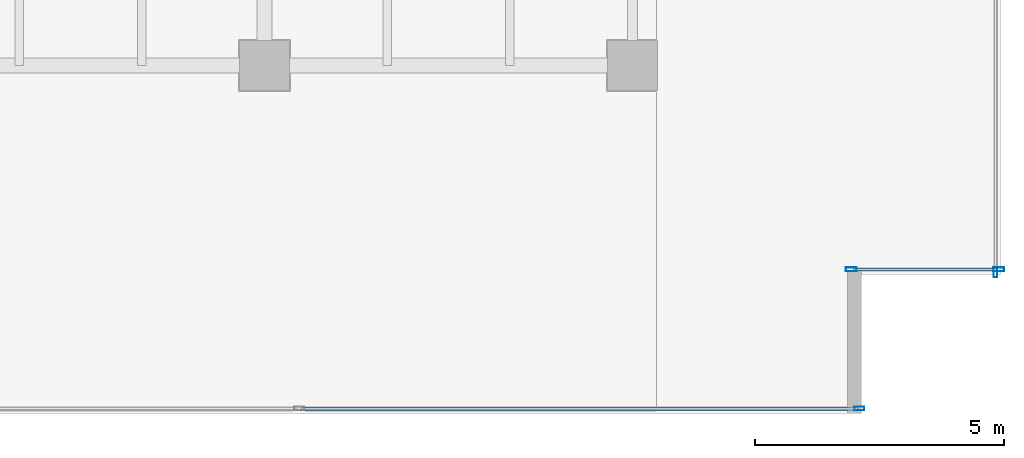
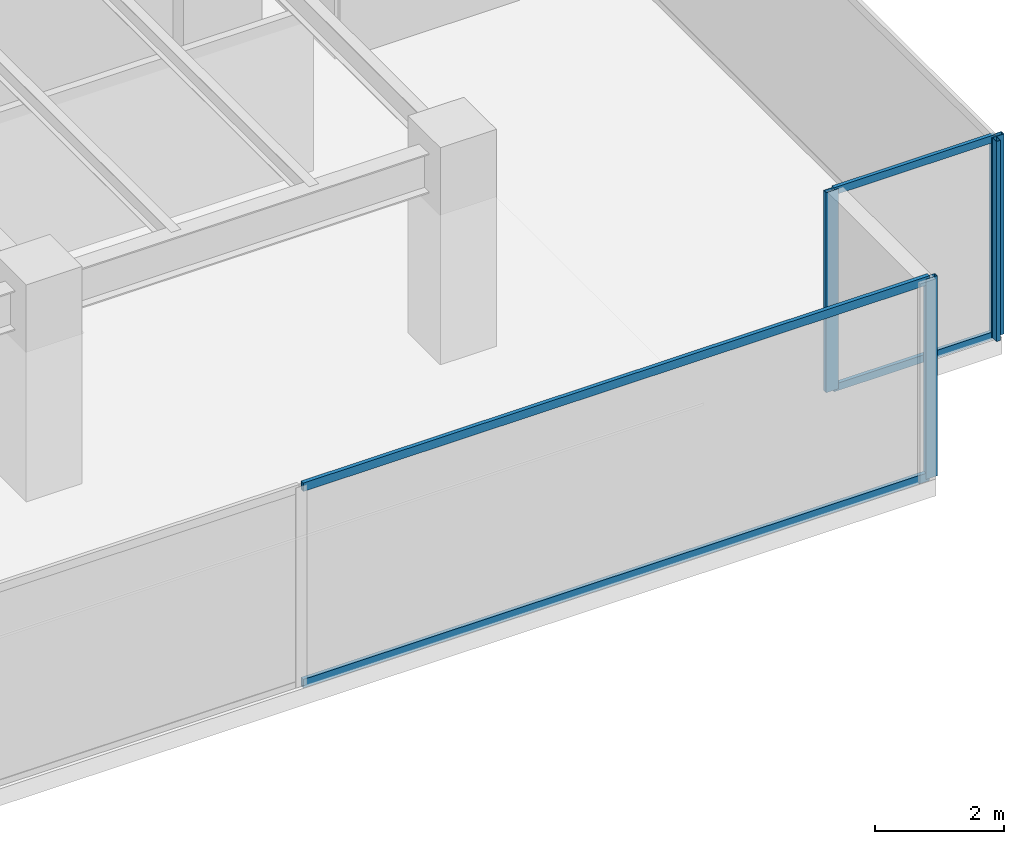
# One storey, part 23 of 36: 8 members, 3 elements without a shape of their own.
"""IFC4 building model written with IfcOpenShell, lengths in metres."""

from ifc_helpers import new_model, si_unit, direction, frame, origin, origin_2d, place, context, subcontext, project, spatial, hollow_rectangle, extrude, source, transform, mapped, material, layer, layer_set, material_profile, profile_set, type_object, type_shapes, element, aggregate, save


model = new_model("IFC4")

# Units and contexts
model_context = context("Model", 3, precision=1e-05, world=origin(), true_north=direction((0.0, 1.0)))
body_context = subcontext(model_context, "Body", "Model", "MODEL_VIEW")
ifc_project = project(units=[si_unit("LENGTHUNIT", "METRE"), si_unit("AREAUNIT", "SQUARE_METRE"), si_unit("VOLUMEUNIT", "CUBIC_METRE"), si_unit("PLANEANGLEUNIT", "RADIAN"), si_unit("MASSUNIT", "GRAM", prefix="KILO")], contexts=[model_context])

# Site, building, storey
site_placement = place(None, origin())
site = spatial("IfcSite", under=ifc_project, at=site_placement, CompositionType="ELEMENT")
building_placement = place(site_placement, origin())
building = spatial("IfcBuilding", under=site, at=building_placement, Name="Haelvirn Gate Laboratories", CompositionType="ELEMENT")
storey_placement = place(building_placement, frame((0.0, 0.0, 53.89990234375)))
storey = spatial("IfcBuildingStorey", under=building, at=storey_placement, Name="L13", CompositionType="ELEMENT", Elevation=53.89990234375)

# Curtain wall, member
ifc_material_1 = material(Name="Anodised bronze unitised aluminium & triple low-E glass", Category="aluminium")
ifc_layer_1 = layer(ifc_material_1, 0.18408203125, Name="CW-SYS-2")
ifc_layer_set_1 = layer_set([ifc_layer_1], Name="Anodised bronze unitised aluminium & triple low-E glass")
curtain_wall_type_1 = type_object("IfcCurtainWallType", Name="CW-SYS-2", PredefinedType="NOTDEFINED", material=ifc_layer_set_1)
curtain_wall_1_placement = place(storey_placement, origin())
curtain_wall_1 = element("IfcCurtainWall", 1, at=curtain_wall_1_placement, inside=storey, type_object=curtain_wall_type_1, Name="L13 Unitised Curtain Wall CW-L13-P0-E04-1", PredefinedType="NOTDEFINED")
ifc_material_2 = material(Name="Extruded aluminium 6063-T6 (anodised bronze)", Category="aluminium")
ifc_material_profile_1 = material_profile(ifc_material_2, hollow_rectangle(XDim=0.074951171875, YDim=0.199951171875, WallThickness=0.0048828125, at=origin_2d()), Name="CWM-200x75x5")
ifc_profile_set_1 = profile_set([ifc_material_profile_1], Name="Extruded aluminium 6063-T6 (anodised bronze)")
member_type_1 = type_object("IfcMemberType", Name="CWM-T200", PredefinedType="MULLION", material=ifc_profile_set_1)
shared_shape_1 = source(origin(), body_context, "Body", "SweptSolid", [
    extrude(hollow_rectangle(XDim=0.074951171875, YDim=0.199951171875, WallThickness=0.0048828125, at=origin_2d()), origin(), (0.0, 0.0, 1.0), 3.780029296875),
])
type_shapes(member_type_1, [shared_shape_1])
member_1_placement = place(storey_placement, frame((71.96240234375, 0.10009765625, 0.0), z_axis=(0.0, 0.0, 1.0), x_axis=(0.0, 1.0, 0.0)))
member_1 = element("IfcMember", 2, at=member_1_placement, type_object=member_type_1, Name="CW2 mullion 3", PredefinedType="MULLION", context=body_context, shape_type="MappedRepresentation", body=[
    mapped(shared_shape_1, transform((0.0, 0.0, 0.0), scale=1.0)),
])

curtain_wall_2_placement = place(storey_placement, origin())
curtain_wall_2 = element("IfcCurtainWall", 3, at=curtain_wall_2_placement, inside=storey, type_object=curtain_wall_type_1, Name="L13 Unitised Curtain Wall CW-L13-P0-E07", PredefinedType="NOTDEFINED")
member_2_placement = place(storey_placement, frame((74.699951171875, 2.83740234375, 0.0), z_axis=(0.0, 0.0, 1.0), x_axis=(-1.0, 0.0, 0.0)))
member_2 = element("IfcMember", 4, at=member_2_placement, type_object=member_type_1, Name="CW2 mullion 1", PredefinedType="MULLION", context=body_context, shape_type="MappedRepresentation", body=[
    mapped(shared_shape_1, transform((0.0, 0.0, 0.0), scale=1.0)),
])
aggregate(curtain_wall_2, [member_2])

# Member
ifc_material_profile_2 = material_profile(ifc_material_2, hollow_rectangle(XDim=0.070068359375, YDim=0.159912109375, WallThickness=0.0048828125, at=origin_2d()), Name="CWT-160x70x5")
ifc_profile_set_2 = profile_set([ifc_material_profile_2], Name="Extruded aluminium 6063-T6 (anodised bronze)")
member_type_2 = type_object("IfcMemberType", Name="CWT-T160", PredefinedType="USERDEFINED", material=ifc_profile_set_2)
shared_shape_2 = source(origin(), body_context, "Body", "SweptSolid", [
    extrude(hollow_rectangle(XDim=0.070068359375, YDim=0.159912109375, WallThickness=0.0048828125, at=origin_2d()), origin(), (0.0, 0.0, 1.0), 11.1875),
])
type_shapes(member_type_2, [shared_shape_2])
member_3_placement = place(storey_placement, frame((60.737548828125, 0.10009765625, 0.03515625), z_axis=(1.0, 0.0, 0.0), x_axis=(0.0, 1.0, 0.0)))
member_3 = element("IfcMember", 5, at=member_3_placement, type_object=member_type_2, Name="CW2 transom 2.1", ObjectType="TRANSOM", PredefinedType="USERDEFINED", context=body_context, shape_type="MappedRepresentation", body=[
    mapped(shared_shape_2, transform((0.0, 0.0, 0.0), scale=1.0)),
])

member_4_placement = place(storey_placement, frame((60.737548828125, 0.10009765625, 3.7451171875), z_axis=(1.0, 0.0, 0.0), x_axis=(0.0, 1.0, 0.0)))
member_4 = element("IfcMember", 6, at=member_4_placement, type_object=member_type_2, Name="CW2 transom 2.2", ObjectType="TRANSOM", PredefinedType="USERDEFINED", context=body_context, shape_type="MappedRepresentation", body=[
    mapped(shared_shape_2, transform((0.0, 0.0, 0.0), scale=1.0)),
])

aggregate(curtain_wall_1, [member_1, member_3, member_4])

# Curtain wall, members
ifc_layer_2 = layer(ifc_material_1, 0.181884765625, Name="CW-SYS-5")
ifc_layer_set_2 = layer_set([ifc_layer_2], Name="Anodised bronze unitised aluminium & triple low-E glass")
curtain_wall_type_2 = type_object("IfcCurtainWallType", Name="CW-SYS-5", PredefinedType="NOTDEFINED", material=ifc_layer_set_2)
curtain_wall_3_placement = place(storey_placement, origin())
curtain_wall_3 = element("IfcCurtainWall", 7, at=curtain_wall_3_placement, inside=storey, type_object=curtain_wall_type_2, Name="L13 Unitised Curtain Wall CW-L13-P0-E06-1", PredefinedType="NOTDEFINED")
ifc_material_profile_3 = material_profile(ifc_material_2, hollow_rectangle(XDim=0.080078125, YDim=0.219970703125, WallThickness=0.006103515625, at=origin_2d()), Name="CWM-220x80x6")
ifc_profile_set_3 = profile_set([ifc_material_profile_3], Name="Extruded aluminium 6063-T6 (anodised bronze)")
member_type_3 = type_object("IfcMemberType", Name="CWM-T220", PredefinedType="MULLION", material=ifc_profile_set_3)
shared_shape_3 = source(origin(), body_context, "Body", "SweptSolid", [
    extrude(hollow_rectangle(XDim=0.080078125, YDim=0.219970703125, WallThickness=0.006103515625, at=origin_2d()), origin(), (0.0, 0.0, 1.0), 3.780029296875),
])
type_shapes(member_type_3, [shared_shape_3])
member_5_placement = place(storey_placement, frame((71.800048828125, 2.89990234375, 0.0), z_axis=(0.0, 0.0, 1.0), x_axis=(0.0, 1.0, 0.0)))
member_5 = element("IfcMember", 8, at=member_5_placement, type_object=member_type_3, Name="CW5 mullion 1", PredefinedType="MULLION", context=body_context, shape_type="MappedRepresentation", body=[
    mapped(shared_shape_3, transform((0.0, 0.0, 0.0), scale=1.0)),
])
member_6_placement = place(storey_placement, frame((74.760009765625, 2.89990234375, 0.0), z_axis=(0.0, 0.0, 1.0), x_axis=(0.0, 1.0, 0.0)))
member_6 = element("IfcMember", 9, at=member_6_placement, type_object=member_type_3, Name="CW5 mullion 2", PredefinedType="MULLION", context=body_context, shape_type="MappedRepresentation", body=[
    mapped(shared_shape_3, transform((0.0, 0.0, 0.0), scale=1.0)),
])
ifc_material_profile_4 = material_profile(ifc_material_2, hollow_rectangle(XDim=0.06494140625, YDim=0.139892578125, WallThickness=0.00390625, at=origin_2d()), Name="CWT-140x65x4")
ifc_profile_set_4 = profile_set([ifc_material_profile_4], Name="Extruded aluminium 6063-T6 (anodised bronze)")
member_type_4 = type_object("IfcMemberType", Name="CWT-T140", PredefinedType="USERDEFINED", material=ifc_profile_set_4)
shared_shape_4 = source(origin(), body_context, "Body", "SweptSolid", [
    extrude(hollow_rectangle(XDim=0.06494140625, YDim=0.139892578125, WallThickness=0.00390625, at=origin_2d()), origin(), (0.0, 0.0, 1.0), 2.8798828125),
])
type_shapes(member_type_4, [shared_shape_4])
member_7_placement = place(storey_placement, frame((71.840087890625, 2.89990234375, 0.03271484375), z_axis=(1.0, 0.0, 0.0), x_axis=(0.0, 1.0, 0.0)))
member_7 = element("IfcMember", 10, at=member_7_placement, type_object=member_type_4, Name="CW5 transom 1.1", ObjectType="TRANSOM", PredefinedType="USERDEFINED", context=body_context, shape_type="MappedRepresentation", body=[
    mapped(shared_shape_4, transform((0.0, 0.0, 0.0), scale=1.0)),
])
member_8_placement = place(storey_placement, frame((71.840087890625, 2.89990234375, 3.74755859375), z_axis=(1.0, 0.0, 0.0), x_axis=(0.0, 1.0, 0.0)))
member_8 = element("IfcMember", 11, at=member_8_placement, type_object=member_type_4, Name="CW5 transom 1.2", ObjectType="TRANSOM", PredefinedType="USERDEFINED", context=body_context, shape_type="MappedRepresentation", body=[
    mapped(shared_shape_4, transform((0.0, 0.0, 0.0), scale=1.0)),
])
aggregate(curtain_wall_3, [member_5, member_6, member_7, member_8])

save(model, "model.ifc")
